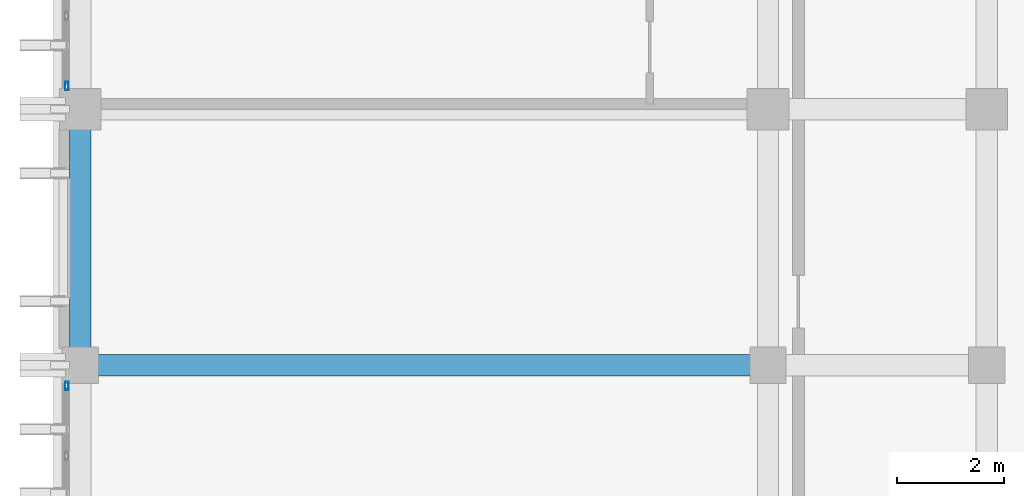
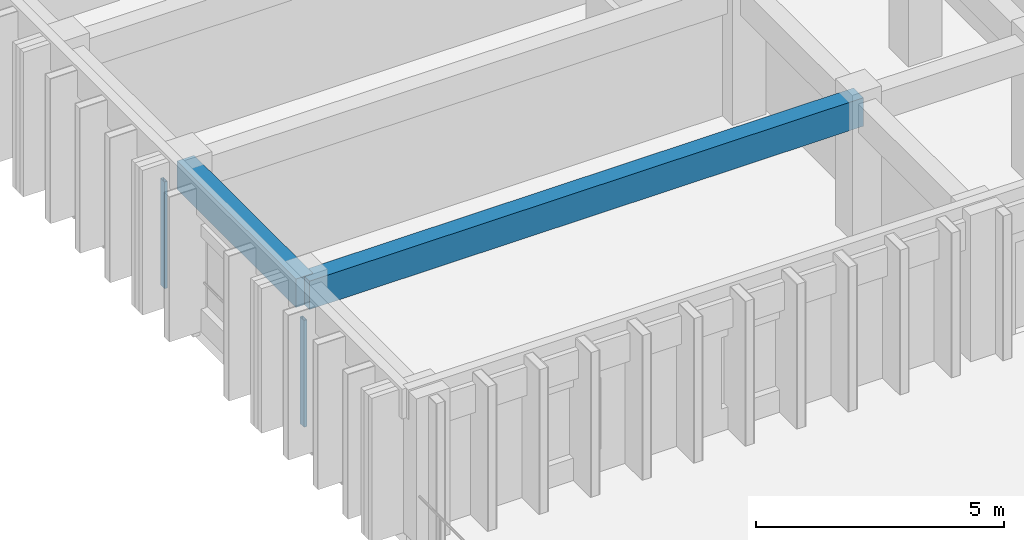
# One storey, part 4 of 68: 2 beams, 2 members, 2 elements without a shape of their own.
"""IFC4 building model written with IfcOpenShell, lengths in metres."""

from ifc_helpers import new_model, si_unit, direction, frame, origin, origin_2d, place, context, subcontext, project, spatial, rectangle, hollow_rectangle, extrude, material, layer, layer_set, material_profile, profile_set, type_object, element, aggregate, save


model = new_model("IFC4")

# Units and contexts
model_context = context("Model", 3, precision=1e-05, world=origin(), true_north=direction((0.0, 1.0)))
body_context = subcontext(model_context, "Body", "Model", "MODEL_VIEW")
ifc_project = project(units=[si_unit("LENGTHUNIT", "METRE"), si_unit("AREAUNIT", "SQUARE_METRE"), si_unit("VOLUMEUNIT", "CUBIC_METRE"), si_unit("PLANEANGLEUNIT", "RADIAN"), si_unit("MASSUNIT", "GRAM", prefix="KILO")], contexts=[model_context])

# Site, building, storey
site_placement = place(None, origin())
site = spatial("IfcSite", under=ifc_project, at=site_placement, CompositionType="ELEMENT")
building_placement = place(site_placement, origin())
building = spatial("IfcBuilding", under=site, at=building_placement, Name="Nakhvara Creek Congress Hotel", CompositionType="ELEMENT")
storey_placement = place(building_placement, frame((0.0, 0.0, 24.60009765625)))
storey = spatial("IfcBuildingStorey", under=building, at=storey_placement, Name="L05", CompositionType="ELEMENT", Elevation=24.60009765625)

# Beams
ifc_material_1 = material(Name="Concrete C40/50", Category="concrete")
ifc_material_profile_1 = material_profile(ifc_material_1, rectangle(XDim=0.39990234375, YDim=0.699951171875, at=origin_2d()), Name="RC-BM 400x700", Category="LoadBearing")
ifc_profile_set_1 = profile_set([ifc_material_profile_1], Name="Concrete C40/50")
beam_type = type_object("IfcBeamType", Name="BM-RC-400X700", PredefinedType="BEAM", material=ifc_profile_set_1)
beam_1_placement = place(storey_placement, frame((149.449951171875, 33.60009765625, 2.989990234375), z_axis=(0.0, 1.0, 0.0), x_axis=(-1.0, 0.0, 0.0)))
element("IfcBeam", 1, at=beam_1_placement, inside=storey, type_object=beam_type, Name="Beam B05-L05-2061", PredefinedType="BEAM", context=body_context, shape_type="SweptSolid", body=[
    extrude(rectangle(XDim=0.39990234375, YDim=0.699951171875, at=origin_2d()), origin(), (0.0, 0.0, 1.0), 4.7998046875),
])
beam_2_placement = place(storey_placement, frame((149.449951171875, 33.60009765625, 2.989990234375), z_axis=(1.0, 0.0, 0.0), x_axis=(0.0, 1.0, 0.0)))
element("IfcBeam", 2, at=beam_2_placement, inside=storey, type_object=beam_type, Name="Beam B05-L05-2167", PredefinedType="BEAM", context=body_context, shape_type="SweptSolid", body=[
    extrude(rectangle(XDim=0.39990234375, YDim=0.699951171875, at=origin_2d()), origin(), (0.0, 0.0, 1.0), 12.900146484375),
])

# Curtain wall, member
ifc_material_2 = material(Name="Bronze-anodised aluminium AW-6063-T6 and double-silver low-E glass", Category="aluminium")
ifc_layer = layer(ifc_material_2, 0.199951171875)
ifc_layer_set = layer_set([ifc_layer], Name="Bronze-anodised aluminium AW-6063-T6 and double-silver low-E glass")
curtain_wall_type = type_object("IfcCurtainWallType", Name="CW-HTL-UNIT", PredefinedType="USERDEFINED", material=ifc_layer_set)
curtain_wall_1_placement = place(storey_placement, origin())
curtain_wall_1 = element("IfcCurtainWall", 3, at=curtain_wall_1_placement, inside=storey, type_object=curtain_wall_type, Name="Curtain Wall CW203", ObjectType="UNITISED", PredefinedType="USERDEFINED")
ifc_material_3 = material(Name="Bronze-anodised aluminium AW-6063-T6", Category="aluminium")
ifc_material_profile_2 = material_profile(ifc_material_3, hollow_rectangle(XDim=0.06494140625, YDim=0.159912109375, WallThickness=0.00390625, at=origin_2d()), Name="ALU-MULL 65x160x4", Category="LoadBearing")
ifc_profile_set_2 = profile_set([ifc_material_profile_2], Name="Bronze-anodised aluminium AW-6063-T6")
member_type = type_object("IfcMemberType", Name="CW-MULL-160", PredefinedType="MULLION", material=ifc_profile_set_2)
member_1_placement = place(storey_placement, frame((149.199951171875, 33.21240234375, 0.0), z_axis=(0.0, 0.0, 1.0), x_axis=(-1.0, 0.0, 0.0)))
member_1 = element("IfcMember", 4, at=member_1_placement, type_object=member_type, Name="CW203 mullion 4", PredefinedType="MULLION", context=body_context, shape_type="SweptSolid", body=[
    extrude(hollow_rectangle(XDim=0.06494140625, YDim=0.159912109375, WallThickness=0.00390625, at=origin_2d()), origin(), (0.0, 0.0, 1.0), 2.6318359375),
])
aggregate(curtain_wall_1, [member_1])

curtain_wall_2_placement = place(storey_placement, origin())
curtain_wall_2 = element("IfcCurtainWall", 5, at=curtain_wall_2_placement, inside=storey, type_object=curtain_wall_type, Name="Curtain Wall CW205", ObjectType="UNITISED", PredefinedType="USERDEFINED")
member_2_placement = place(storey_placement, frame((149.199951171875, 38.83740234375, 0.0), z_axis=(0.0, 0.0, 1.0), x_axis=(-1.0, 0.0, 0.0)))
member_2 = element("IfcMember", 6, at=member_2_placement, type_object=member_type, Name="CW205 mullion 1", PredefinedType="MULLION", context=body_context, shape_type="SweptSolid", body=[
    extrude(hollow_rectangle(XDim=0.06494140625, YDim=0.159912109375, WallThickness=0.00390625, at=origin_2d()), origin(), (0.0, 0.0, 1.0), 2.6318359375),
])
aggregate(curtain_wall_2, [member_2])

save(model, "model.ifc")
